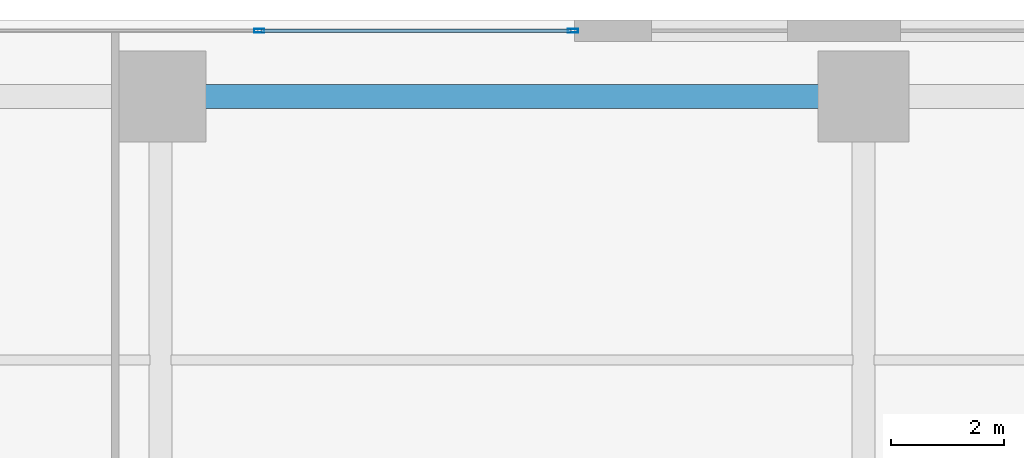
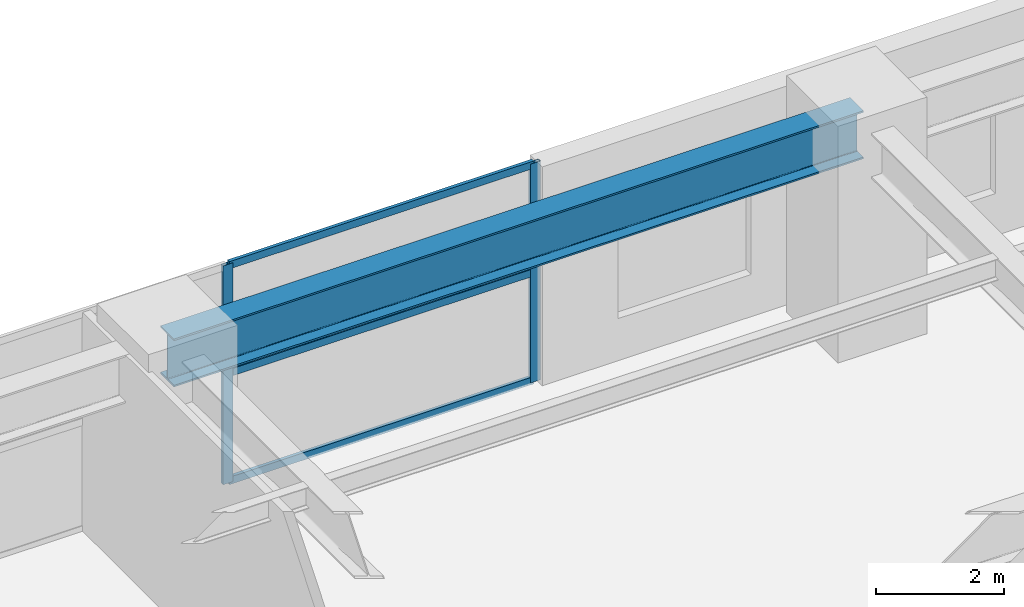
# One storey, part 8 of 26: 5 members, 1 beam, 1 element without a shape of its own.
"""IFC4 building model written with IfcOpenShell, lengths in metres."""

import ifcopenshell
import ifcopenshell.guid

model = None  # the IFC model being written
_history = None  # IfcOwnerHistory: only IFC2X3 demands one
_inside = {}  # id of a spatial element -> (the spatial element, [elements in it])
_under = {}  # id of a project, library or spatial element -> (it, [spatial elements below it])
_declared = {}  # id of a project -> (the project, [libraries it declares])
_typed = {}  # id of a type object -> (the type object, [elements of that type])
_made_of = {}  # id of a material, layer set ... -> (it, [elements and type objects made of it])


def new_model(schema):
    """Start an empty IFC model of exactly this schema.

    Asked for "IFC4X3", IfcOpenShell would pick the latest addendum, in which some entities
    have other attributes; the version numbers below select the first issue.
    IFC2X3 requires an IfcOwnerHistory on every rooted entity: one is made here for all.
    """
    global model, _history
    if schema == "IFC4X3":
        model = ifcopenshell.file(schema_version=(4, 3, 0, 0))
    else:
        model = ifcopenshell.file(schema=schema)
    _inside.clear()
    _under.clear()
    _declared.clear()
    _typed.clear()
    _made_of.clear()
    _history = None
    if model.schema == "IFC2X3":
        org = make("IfcOrganization", Name="unknown")
        user = make(
            "IfcPersonAndOrganization",
            ThePerson=make("IfcPerson", FamilyName="unknown"),
            TheOrganization=org,
        )
        app = make(
            "IfcApplication",
            ApplicationDeveloper=org,
            Version="unknown",
            ApplicationFullName="unknown",
            ApplicationIdentifier="unknown",
        )
        _history = make(
            "IfcOwnerHistory",
            OwningUser=user,
            OwningApplication=app,
            ChangeAction="ADDED",
            CreationDate=0,
        )
    return model


def make(cls, **values):
    """One entity of the class cls with the attributes given. An attribute that is None is left unset."""
    return model.create_entity(
        cls, **{name: value for name, value in values.items() if value is not None}
    )


def rooted(cls, **values):
    """An entity with a GlobalId (a new one), such as an element, a storey or a relation."""
    return make(cls, GlobalId=ifcopenshell.guid.new(), OwnerHistory=_history, **values)


def si_unit(unit_type, name, prefix=None):
    """IfcSIUnit, for example si_unit("LENGTHUNIT", "METRE", prefix="MILLI")."""
    return make("IfcSIUnit", UnitType=unit_type, Prefix=prefix, Name=name)


def assignment(units):
    """IfcUnitAssignment: the units of a project."""
    return None if units is None else make("IfcUnitAssignment", Units=units)


def point(xyz):
    """IfcCartesianPoint."""
    return None if xyz is None else make("IfcCartesianPoint", Coordinates=xyz)


def direction(xyz):
    """IfcDirection."""
    return None if xyz is None else make("IfcDirection", DirectionRatios=xyz)


def frame(location, z_axis=None, x_axis=None):
    """IfcAxis2Placement3D, a coordinate frame: its origin and axes. An axis left out is left unset."""
    return make(
        "IfcAxis2Placement3D",
        Location=point(location),
        Axis=direction(z_axis),
        RefDirection=direction(x_axis),
    )


def frame_2d(location, x_axis=None):
    """IfcAxis2Placement2D, a coordinate frame in the plane: its origin and x axis."""
    return make(
        "IfcAxis2Placement2D", Location=point(location), RefDirection=direction(x_axis)
    )


def origin():
    """The frame at (0, 0, 0) with its axes left unset."""
    return frame((0.0, 0.0, 0.0))


def origin_2d():
    """The frame at (0, 0) in the plane with its x axis left unset."""
    return frame_2d((0.0, 0.0))


def place(relative_to, where):
    """IfcLocalPlacement: puts the frame where relative to a parent placement (None: the world)."""
    return make(
        "IfcLocalPlacement", PlacementRelTo=relative_to, RelativePlacement=where
    )


def context(
    kind, dimensions, precision=None, world=None, true_north=None, identifier=None
):
    """IfcGeometricRepresentationContext, for example the 3D "Model" context."""
    return make(
        "IfcGeometricRepresentationContext",
        ContextIdentifier=identifier,
        ContextType=kind,
        CoordinateSpaceDimension=dimensions,
        Precision=precision,
        WorldCoordinateSystem=world,
        TrueNorth=true_north,
    )


def subcontext(parent, identifier, kind, view, scale=None):
    """IfcGeometricRepresentationSubContext, for example "Body" below "Model"."""
    return make(
        "IfcGeometricRepresentationSubContext",
        ContextIdentifier=identifier,
        ContextType=kind,
        ParentContext=parent,
        TargetScale=scale,
        TargetView=view,
    )


def project(units=None, contexts=None):
    """IfcProject with its units and contexts."""
    return rooted(
        "IfcProject",
        Name="project",
        RepresentationContexts=contexts,
        UnitsInContext=assignment(units),
    )


def spatial(cls, under=None, at=None, **own):
    """A site, building, storey or space (cls), placed at a placement, below another one or the project."""
    s = rooted(cls, ObjectPlacement=at, **own)
    if under is not None:
        _under.setdefault(under.id(), (under, []))[1].append(s)
    return s


def profile(cls, at=None, kind="AREA", **sizes):
    """A parametric profile (cls). Its sizes go by their IFC names, for example OverallWidth=200.0."""
    return make(cls, ProfileType=kind, Position=at, **sizes)


def hollow_rectangle(**sizes):
    """IfcRectangleHollowProfileDef."""
    return profile("IfcRectangleHollowProfileDef", **sizes)


def i_section(**sizes):
    """IfcIShapeProfileDef."""
    return profile("IfcIShapeProfileDef", **sizes)


def extrude(swept, where, along, depth):
    """IfcExtrudedAreaSolid: the profile swept, set in the frame where, extruded along a direction by depth."""
    return make(
        "IfcExtrudedAreaSolid",
        SweptArea=swept,
        Position=where,
        ExtrudedDirection=direction(along),
        Depth=depth,
    )


def shape(context_of_items, identifier, shape_type, items):
    """IfcShapeRepresentation: the items that make up one representation, for example the "Body"."""
    return make(
        "IfcShapeRepresentation",
        ContextOfItems=context_of_items,
        RepresentationIdentifier=identifier,
        RepresentationType=shape_type,
        Items=items,
    )


def source(mapping_origin, context_of_items, identifier, shape_type, items):
    """IfcRepresentationMap: a shape defined once, which mapped items show again and again."""
    return make(
        "IfcRepresentationMap",
        MappingOrigin=mapping_origin,
        MappedRepresentation=shape(context_of_items, identifier, shape_type, items),
    )


def transform(
    local_origin,
    x_axis=None,
    y_axis=None,
    z_axis=None,
    scale=None,
    scale2=None,
    scale3=None,
    uniform=True,
):
    """IfcCartesianTransformationOperator3D, or its non-uniform kind. x_axis, y_axis, z_axis: its Axis1, 2, 3."""
    if uniform:
        return make(
            "IfcCartesianTransformationOperator3D",
            Axis1=direction(x_axis),
            Axis2=direction(y_axis),
            LocalOrigin=point(local_origin),
            Scale=scale,
            Axis3=direction(z_axis),
        )
    return make(
        "IfcCartesianTransformationOperator3DnonUniform",
        Axis1=direction(x_axis),
        Axis2=direction(y_axis),
        LocalOrigin=point(local_origin),
        Scale=scale,
        Axis3=direction(z_axis),
        Scale2=scale2,
        Scale3=scale3,
    )


def mapped(mapping_source, mapping_target):
    """IfcMappedItem: shows the shape of a source again, moved by a transform."""
    return make(
        "IfcMappedItem", MappingSource=mapping_source, MappingTarget=mapping_target
    )


def material(Name=None, Category=None):
    """IfcMaterial."""
    return make("IfcMaterial", Name=Name, Category=Category)


def layer(
    of_material, thickness, ventilated=None, Name=None, Category=None, Priority=None
):
    """IfcMaterialLayer: one layer of a wall or slab, of a material (None: an air gap)."""
    return make(
        "IfcMaterialLayer",
        Material=of_material,
        LayerThickness=thickness,
        IsVentilated=ventilated,
        Name=Name,
        Category=Category,
        Priority=Priority,
    )


def layer_set(layers, Name=None):
    """IfcMaterialLayerSet."""
    return make("IfcMaterialLayerSet", MaterialLayers=layers, LayerSetName=Name)


def material_profile(
    of_material, cross_section, Name=None, Category=None, Priority=None
):
    """IfcMaterialProfile: a cross section and its material."""
    return make(
        "IfcMaterialProfile",
        Name=Name,
        Material=of_material,
        Profile=cross_section,
        Priority=Priority,
        Category=Category,
    )


def profile_set(profiles, Name=None, composite=None):
    """IfcMaterialProfileSet."""
    return make(
        "IfcMaterialProfileSet",
        Name=Name,
        MaterialProfiles=profiles,
        CompositeProfile=composite,
    )


def made_of(thing, what):
    """Note that an element or type object is made of a material, layer set ...; save() writes the relation."""
    if what is not None:
        _made_of.setdefault(what.id(), (what, []))[1].append(thing)
    return thing


def type_object(cls, material=None, **own):
    """A type object (cls), such as IfcWallType, which elements share."""
    return made_of(rooted(cls, **own), material)


def element(
    cls,
    number,
    at=None,
    inside=None,
    cuts=None,
    type_object=None,
    material=None,
    context=None,
    identifier="Body",
    shape_type=None,
    held_by="IfcProductDefinitionShape",
    body=None,
    shapes=None,
    **own,
):
    """One element of the class cls, such as IfcWall. Its Tag is "e" and its number.

    at: its placement. inside: the storey or other place that contains it. cuts: it is an
    opening in that element (IfcRelVoidsElement). A single representation is given by context,
    identifier, shape_type and body (its items); several are given by shapes. held_by: the class
    of the entity that holds the representations. save() writes the other relations.
    """
    e = rooted(cls, Tag="e%d" % number, ObjectPlacement=at, **own)
    if body is not None:
        shapes = [shape(context, identifier, shape_type, body)]
    if shapes is not None:
        e.Representation = make(held_by, Representations=shapes)
    if inside is not None:
        _inside.setdefault(inside.id(), (inside, []))[1].append(e)
    if cuts is not None:
        rooted(
            "IfcRelVoidsElement", RelatingBuildingElement=cuts, RelatedOpeningElement=e
        )
    if type_object is not None:
        _typed.setdefault(type_object.id(), (type_object, []))[1].append(e)
    return made_of(e, material)


def aggregate(whole, parts):
    """IfcRelAggregates: a whole, such as a stair, and the parts it consists of."""
    return rooted("IfcRelAggregates", RelatingObject=whole, RelatedObjects=parts)


def save(model, path):
    """Write the relations noted so far, then the file.

    IfcRelAggregates (storeys below a building ...), IfcRelContainedInSpatialStructure (elements
    in a storey), IfcRelDefinesByType, IfcRelAssociatesMaterial and IfcRelDeclares: one each for
    every whole, place, type object, material and project.
    """
    for whole, parts in _under.values():
        aggregate(whole, parts)
    for where, things in _inside.values():
        rooted(
            "IfcRelContainedInSpatialStructure",
            RelatedElements=things,
            RelatingStructure=where,
        )
    for kind, things in _typed.values():
        rooted("IfcRelDefinesByType", RelatedObjects=things, RelatingType=kind)
    for what, things in _made_of.values():
        rooted("IfcRelAssociatesMaterial", RelatedObjects=things, RelatingMaterial=what)
    for by, libraries in _declared.values():
        rooted("IfcRelDeclares", RelatingContext=by, RelatedDefinitions=libraries)
    model.write(path)


model = new_model("IFC4")

# Units and contexts
model_context = context("Model", 3, precision=1e-05, world=origin(), true_north=direction((0.0, 1.0)))
body_context = subcontext(model_context, "Body", "Model", "MODEL_VIEW")
ifc_project = project(units=[si_unit("LENGTHUNIT", "METRE"), si_unit("AREAUNIT", "SQUARE_METRE"), si_unit("VOLUMEUNIT", "CUBIC_METRE"), si_unit("PLANEANGLEUNIT", "RADIAN"), si_unit("MASSUNIT", "GRAM", prefix="KILO")], contexts=[model_context])

# Site, building, storey
site_placement = place(None, origin())
site = spatial("IfcSite", under=ifc_project, at=site_placement, CompositionType="ELEMENT")
building_placement = place(site_placement, origin())
building = spatial("IfcBuilding", under=site, at=building_placement, Name="Khoralis Quay Care Tower", CompositionType="ELEMENT")
storey_placement = place(building_placement, frame((0.0, 0.0, 13.5)))
storey = spatial("IfcBuildingStorey", under=building, at=storey_placement, Name="L03", CompositionType="ELEMENT", Elevation=13.5)

# Beam
ifc_material_1 = material(Name="Steel S355", Category="steel")
ifc_material_profile_1 = material_profile(ifc_material_1, i_section(OverallWidth=0.41796875, OverallDepth=0.912109375, WebThickness=0.019287109375, FlangeThickness=0.031982421875, FilletRadius=0.02392578125, at=origin_2d()), Name="Steel S355")
ifc_profile_set_1 = profile_set([ifc_material_profile_1], Name="Steel S355")
beam_type = type_object("IfcBeamType", Name="BM-W920X342", PredefinedType="BEAM", material=ifc_profile_set_1)
shared_shape_1 = source(origin(), body_context, "Body", "SweptSolid", [
    extrude(i_section(OverallWidth=0.41796875, OverallDepth=0.912109375, WebThickness=0.019287109375, FlangeThickness=0.031982421875, FilletRadius=0.02392578125, at=origin_2d()), origin(), (0.0, 0.0, 1.0), 12.39990234375),
])
beam_placement = place(storey_placement, frame((34.60009765625, 46.64990234375, 3.7041015625), z_axis=(1.0, 0.0, 0.0), x_axis=(0.0, 1.0, 0.0)))
element("IfcBeam", 1, at=beam_placement, inside=storey, type_object=beam_type, Name="BM-PODX-L03-22", PredefinedType="BEAM", context=body_context, shape_type="MappedRepresentation", body=[
    mapped(shared_shape_1, transform((0.0, 0.0, 0.0), scale=1.0)),
])

# Curtain wall, members
ifc_material_2 = material(Name="Pale anodised aluminium", Category="aluminium")
ifc_layer = layer(ifc_material_2, 0.179931640625)
ifc_layer_set = layer_set([ifc_layer], Name="Pale anodised aluminium")
curtain_wall_type = type_object("IfcCurtainWallType", Name="CW-SYS-Z1", PredefinedType="NOTDEFINED", material=ifc_layer_set)
curtain_wall_placement = place(storey_placement, origin())
curtain_wall = element("IfcCurtainWall", 2, at=curtain_wall_placement, inside=storey, type_object=curtain_wall_type, Name="L03 Unitised Curtain Wall CW-POD-L03-E4", PredefinedType="NOTDEFINED")
ifc_material_profile_2 = material_profile(ifc_material_2, hollow_rectangle(XDim=0.06494140625, YDim=0.179931640625, WallThickness=0.00390625, at=origin_2d()), Name="Pale anodised aluminium")
ifc_profile_set_2 = profile_set([ifc_material_profile_2], Name="Pale anodised aluminium")
member_type_1 = type_object("IfcMemberType", Name="CW-MUL-180", PredefinedType="MULLION", material=ifc_profile_set_2)
shared_shape_2 = source(origin(), body_context, "Body", "SweptSolid", [
    extrude(hollow_rectangle(XDim=0.06494140625, YDim=0.179931640625, WallThickness=0.00390625, at=origin_2d()), origin(), (0.0, 0.0, 1.0), 4.159912109375),
])
member_1_placement = place(storey_placement, frame((41.875, 47.81005859375, 0.0), z_axis=(0.0, 0.0, 1.0), x_axis=(0.0, -1.0, 0.0)))
member_1 = element("IfcMember", 3, at=member_1_placement, type_object=member_type_1, Name="CW1 mullion 1", PredefinedType="MULLION", context=body_context, shape_type="MappedRepresentation", body=[
    mapped(shared_shape_2, transform((0.0, 0.0, 0.0), scale=1.0)),
])
member_2_placement = place(storey_placement, frame((36.343017578125, 47.81005859375, 0.0), z_axis=(0.0, 0.0, 1.0), x_axis=(0.0, -1.0, 0.0)))
member_2 = element("IfcMember", 4, at=member_2_placement, type_object=member_type_1, Name="CW1 mullion 2", PredefinedType="MULLION", context=body_context, shape_type="MappedRepresentation", body=[
    mapped(shared_shape_2, transform((0.0, 0.0, 0.0), scale=1.0)),
])
ifc_material_profile_3 = material_profile(ifc_material_2, hollow_rectangle(XDim=0.06005859375, YDim=0.139892578125, WallThickness=0.00390625, at=origin_2d()), Name="Pale anodised aluminium")
ifc_profile_set_3 = profile_set([ifc_material_profile_3], Name="Pale anodised aluminium")
member_type_2 = type_object("IfcMemberType", Name="CW-TRN-140", PredefinedType="USERDEFINED", material=ifc_profile_set_3)
shared_shape_3 = source(origin(), body_context, "Body", "SweptSolid", [
    extrude(hollow_rectangle(XDim=0.06005859375, YDim=0.139892578125, WallThickness=0.00390625, at=origin_2d()), origin(), (0.0, 0.0, 1.0), 5.471923828125),
])
member_3_placement = place(storey_placement, frame((41.844970703125, 47.81005859375, 0.030029296875), z_axis=(-1.0, 0.0, 0.0), x_axis=(0.0, -1.0, 0.0)))
member_3 = element("IfcMember", 5, at=member_3_placement, type_object=member_type_2, Name="CW1 transom 1.1", ObjectType="TRANSOM", PredefinedType="USERDEFINED", context=body_context, shape_type="MappedRepresentation", body=[
    mapped(shared_shape_3, transform((0.0, 0.0, 0.0), scale=1.0)),
])
member_4_placement = place(storey_placement, frame((41.844970703125, 47.81005859375, 2.080078125), z_axis=(-1.0, 0.0, 0.0), x_axis=(0.0, -1.0, 0.0)))
member_4 = element("IfcMember", 6, at=member_4_placement, type_object=member_type_2, Name="CW1 transom 1.2", ObjectType="TRANSOM", PredefinedType="USERDEFINED", context=body_context, shape_type="MappedRepresentation", body=[
    mapped(shared_shape_3, transform((0.0, 0.0, 0.0), scale=1.0)),
])
member_5_placement = place(storey_placement, frame((41.844970703125, 47.81005859375, 4.1298828125), z_axis=(-1.0, 0.0, 0.0), x_axis=(0.0, -1.0, 0.0)))
member_5 = element("IfcMember", 7, at=member_5_placement, type_object=member_type_2, Name="CW1 transom 1.3", ObjectType="TRANSOM", PredefinedType="USERDEFINED", context=body_context, shape_type="MappedRepresentation", body=[
    mapped(shared_shape_3, transform((0.0, 0.0, 0.0), scale=1.0)),
])
aggregate(curtain_wall, [member_1, member_2, member_3, member_4, member_5])

save(model, "model.ifc")
